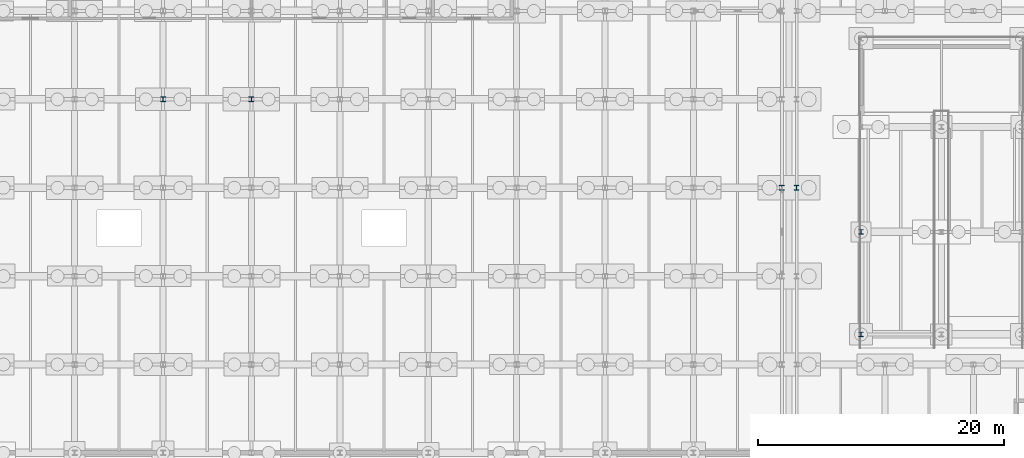
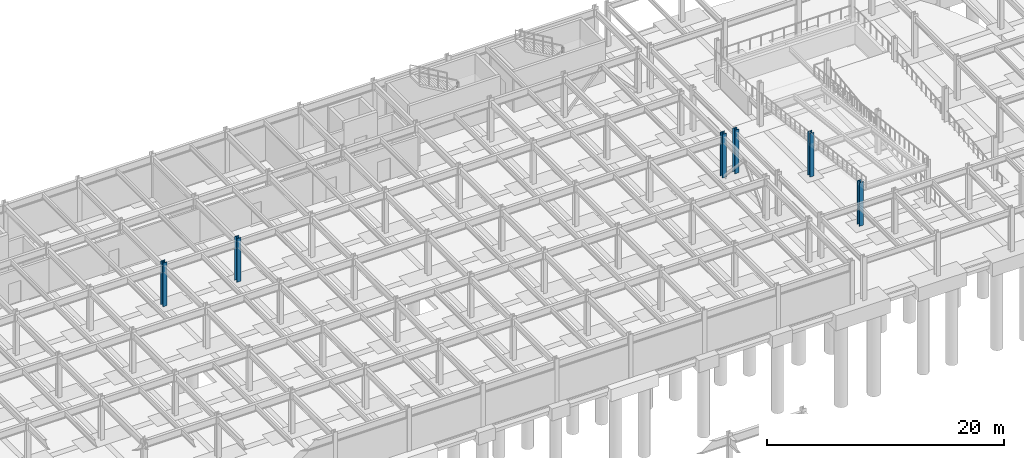
# One storey, part 21 of 54: 6 columns.
"""IFC4 building model written with IfcOpenShell, lengths in metres."""

from ifc_helpers import new_model, si_unit, direction, frame, origin, origin_2d, place, context, subcontext, project, spatial, i_section, extrude, material, material_profile, profile_set, type_object, element, save


model = new_model("IFC4")

# Units and contexts
model_context = context("Model", 3, precision=1e-05, world=origin(), true_north=direction((0.0, 1.0)))
body_context = subcontext(model_context, "Body", "Model", "MODEL_VIEW")
ifc_project = project(units=[si_unit("LENGTHUNIT", "METRE"), si_unit("AREAUNIT", "SQUARE_METRE"), si_unit("VOLUMEUNIT", "CUBIC_METRE"), si_unit("PLANEANGLEUNIT", "RADIAN"), si_unit("MASSUNIT", "GRAM", prefix="KILO")], contexts=[model_context])

# Site, building, storey
site_placement = place(None, origin())
site = spatial("IfcSite", under=ifc_project, at=site_placement, CompositionType="ELEMENT")
building_placement = place(site_placement, origin())
building = spatial("IfcBuilding", under=site, at=building_placement, Name="Vaelcorin Mobility Hub", CompositionType="ELEMENT")
storey_placement = place(building_placement, frame((0.0, 0.0, -4.5)))
storey = spatial("IfcBuildingStorey", under=building, at=storey_placement, Name="B1", CompositionType="ELEMENT", Elevation=-4.5)

# Columns
ifc_material = material(Name="Steel ASTM A992 Grade 50", Category="steel")
ifc_material_profile_1 = material_profile(ifc_material, i_section(OverallWidth=0.39599609375, OverallDepth=0.381103515625, WebThickness=0.018798828125, FlangeThickness=0.0302734375, FilletRadius=0.014892578125, at=origin_2d()), Name="W14X159")
ifc_profile_set_1 = profile_set([ifc_material_profile_1], Name="Steel ASTM A992 Grade 50")
column_type_1 = type_object("IfcColumnType", Name="COL-W14X159", PredefinedType="COLUMN", material=ifc_profile_set_1)
for number, where, z_axis, x_axis, name in (
    (1, (128.85009765625, 86.449951171875, 0.0), (0.0, 0.0, 1.0), (1.0, 0.0, 0.0), "Column V2E-RDRM-WS B1"),
    (2, (128.85009765625, 94.800048828125, 0.0), (0.0, 0.0, 1.0), (1.0, 0.0, 0.0), "Column V2E-RDRM-WC B1"),
):
    element("IfcColumn", number, at=place(storey_placement, frame(where, z_axis=z_axis, x_axis=x_axis)), inside=storey, type_object=column_type_1, Name=name, PredefinedType="COLUMN", context=body_context, shape_type="SweptSolid", body=[
        extrude(i_section(OverallWidth=0.39599609375, OverallDepth=0.381103515625, WebThickness=0.018798828125, FlangeThickness=0.0302734375, FilletRadius=0.014892578125, at=origin_2d()), origin(), (0.0, 0.0, 1.0), 4.5),
    ])
ifc_material_profile_2 = material_profile(ifc_material, i_section(OverallWidth=0.39892578125, OverallDepth=0.39404296875, WebThickness=0.022705078125, FlangeThickness=0.03662109375, FilletRadius=0.014892578125, at=origin_2d()), Name="W14X193")
ifc_profile_set_2 = profile_set([ifc_material_profile_2], Name="Steel ASTM A992 Grade 50")
column_type_2 = type_object("IfcColumnType", Name="COL-W14X193", PredefinedType="COLUMN", material=ifc_profile_set_2)
column_placement = place(storey_placement, frame((123.60009765625, 98.39990234375, 0.0), z_axis=(0.0, 0.0, 1.0), x_axis=(1.0, 0.0, 0.0)))
element("IfcColumn", 3, at=column_placement, inside=storey, type_object=column_type_2, Name="Column V2E-G1x4 B1", PredefinedType="COLUMN", context=body_context, shape_type="SweptSolid", body=[
    extrude(i_section(OverallWidth=0.39892578125, OverallDepth=0.39404296875, WebThickness=0.022705078125, FlangeThickness=0.03662109375, FilletRadius=0.014892578125, at=origin_2d()), origin(), (0.0, 0.0, 1.0), 4.5),
])
ifc_material_profile_3 = material_profile(ifc_material, i_section(OverallWidth=0.404052734375, OverallDepth=0.406005859375, WebThickness=0.027099609375, FlangeThickness=0.043701171875, FilletRadius=0.014892578125, at=origin_2d()), Name="W14X233")
ifc_profile_set_3 = profile_set([ifc_material_profile_3], Name="Steel ASTM A992 Grade 50")
column_type_3 = type_object("IfcColumnType", Name="COL-W14X233", PredefinedType="COLUMN", material=ifc_profile_set_3)
for number, where, z_axis, x_axis, name in (
    (4, (72.0, 105.60009765625, 0.0), (0.0, 0.0, 1.0), (1.0, 0.0, 0.0), "Column V4-X06Y05 B1"),
    (5, (79.199951171875, 105.60009765625, 0.0), (0.0, 0.0, 1.0), (1.0, 0.0, 0.0), "Column V4-X07Y05 B1"),
    (6, (122.39990234375, 98.39990234375, 0.0), (0.0, 0.0, 1.0), (1.0, 0.0, 0.0), "Column V4-X13Y04 B1"),
):
    element("IfcColumn", number, at=place(storey_placement, frame(where, z_axis=z_axis, x_axis=x_axis)), inside=storey, type_object=column_type_3, Name=name, PredefinedType="COLUMN", context=body_context, shape_type="SweptSolid", body=[
        extrude(i_section(OverallWidth=0.404052734375, OverallDepth=0.406005859375, WebThickness=0.027099609375, FlangeThickness=0.043701171875, FilletRadius=0.014892578125, at=origin_2d()), origin(), (0.0, 0.0, 1.0), 4.5),
    ])

save(model, "model.ifc")
